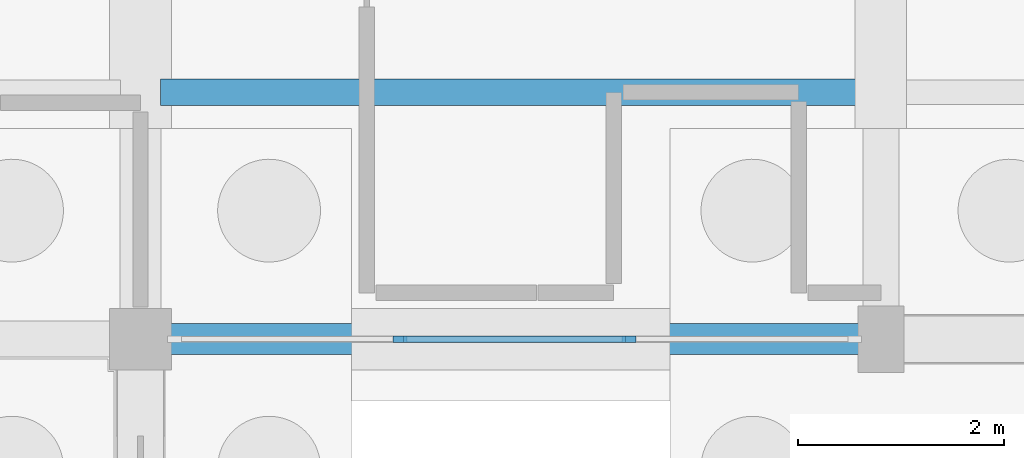
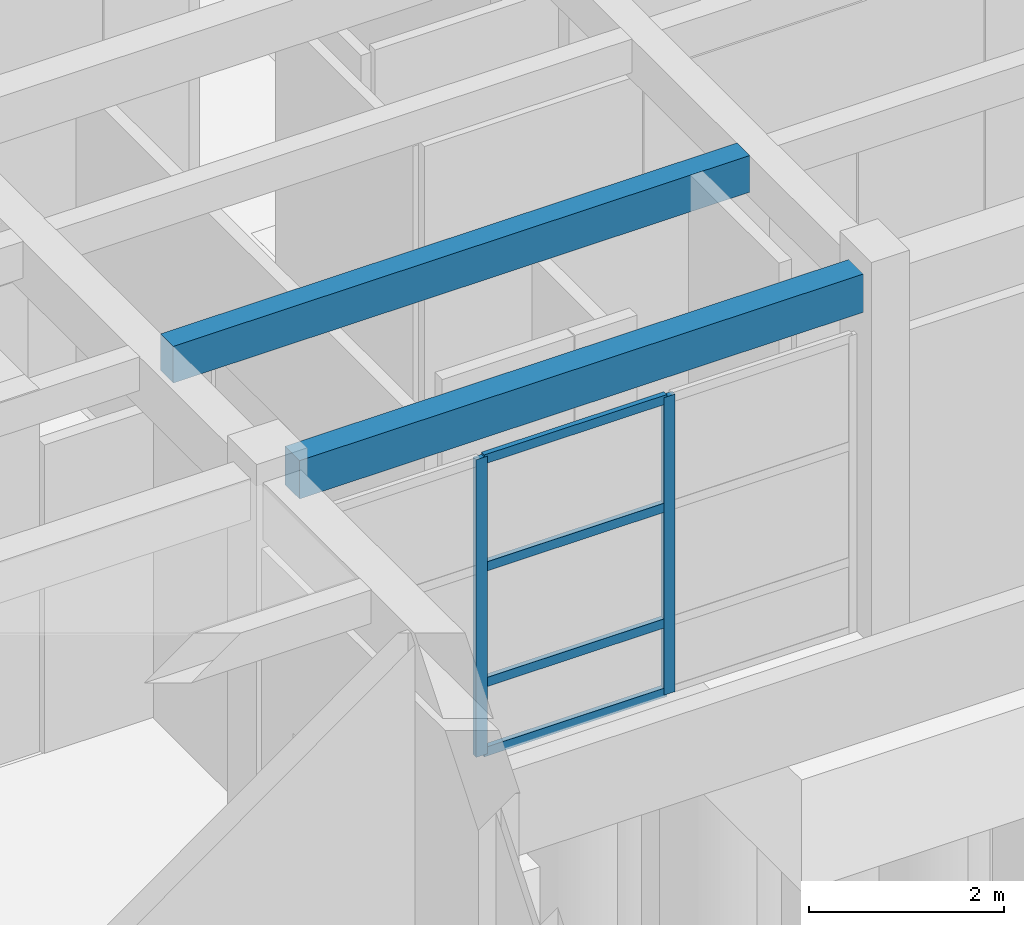
# One storey, part 65 of 143: 6 members, 2 beams, 1 element without a shape of its own.
"""IFC4 building model written with IfcOpenShell, lengths in metres."""

from ifc_helpers import new_model, si_unit, direction, frame, origin, origin_2d, place, context, subcontext, project, spatial, rectangle, extrude, material, material_profile, profile_set, type_object, element, aggregate, save


model = new_model("IFC4")

# Units and contexts
model_context = context("Model", 3, precision=1e-05, world=origin(), true_north=direction((0.0, 1.0)))
body_context = subcontext(model_context, "Body", "Model", "MODEL_VIEW")
ifc_project = project(units=[si_unit("LENGTHUNIT", "METRE"), si_unit("AREAUNIT", "SQUARE_METRE"), si_unit("VOLUMEUNIT", "CUBIC_METRE"), si_unit("PLANEANGLEUNIT", "RADIAN"), si_unit("MASSUNIT", "GRAM", prefix="KILO")], contexts=[model_context])

# Site, building, storey
site_placement = place(None, origin())
site = spatial("IfcSite", under=ifc_project, at=site_placement, CompositionType="ELEMENT")
building_placement = place(site_placement, origin())
building = spatial("IfcBuilding", under=site, at=building_placement, Name="Steenspoor Specialist Clinic", CompositionType="ELEMENT")
storey_placement = place(building_placement, origin())
storey = spatial("IfcBuildingStorey", under=building, at=storey_placement, Name="L00", CompositionType="ELEMENT", Elevation=0.0)

# Beam
ifc_material_1 = material(Name="Concrete C35/45", Category="concrete")
ifc_material_profile_1 = material_profile(ifc_material_1, rectangle(XDim=0.300048828125, YDim=0.47998046875, at=origin_2d()), Name="RC-BM-300X480")
ifc_profile_set_1 = profile_set([ifc_material_profile_1], Name="Concrete C35/45")
beam_type_1 = type_object("IfcBeamType", Name="BM-RC-300X480", PredefinedType="BEAM", material=ifc_profile_set_1)
beam_1_placement = place(storey_placement, frame((95.89501953125, 93.949951171875, 4.31005859375), z_axis=(1.0, 0.0, 0.0), x_axis=(0.0, 1.0, 0.0)))
element("IfcBeam", 1, at=beam_1_placement, inside=storey, type_object=beam_type_1, Name="BM-V4-L00-X0323", PredefinedType="BEAM", context=body_context, shape_type="SweptSolid", body=[
    extrude(rectangle(XDim=0.300048828125, YDim=0.47998046875, at=origin_2d()), origin(), (0.0, 0.0, 1.0), 6.68505859375),
])

# Curtain wall, members
ifc_material_2 = material(Name="Thermally broken aluminium and low-emissivity glass", Category="aluminium")
curtain_wall_type = type_object("IfcCurtainWallType", Name="CW-TYP-650X355", PredefinedType="USERDEFINED", material=ifc_material_2)
curtain_wall_placement = place(storey_placement, origin())
curtain_wall = element("IfcCurtainWall", 2, at=curtain_wall_placement, inside=storey, type_object=curtain_wall_type, Name="Unitised Curtain Wall CW-V4-L00-058", ObjectType="UNITISED GLAZING", PredefinedType="USERDEFINED")
ifc_material_3 = material(Name="Thermally broken aluminium 6063-T6", Category="aluminium")
ifc_material_profile_2 = material_profile(ifc_material_3, rectangle(XDim=0.06005859375, YDim=0.135009765625, at=origin_2d()), Name="CWM-60X135")
ifc_profile_set_2 = profile_set([ifc_material_profile_2], Name="Thermally broken aluminium 6063-T6")
member_type_1 = type_object("IfcMemberType", Name="CW-MULL-60X135", PredefinedType="MULLION", material=ifc_profile_set_2)
member_1_placement = place(storey_placement, frame((100.35009765625, 93.949951171875, 0.0), z_axis=(0.0, 0.0, 1.0), x_axis=(0.0, -1.0, 0.0)))
member_1 = element("IfcMember", 3, at=member_1_placement, type_object=member_type_1, Name="CW-10 mullion 2", PredefinedType="MULLION", context=body_context, shape_type="SweptSolid", body=[
    extrude(rectangle(XDim=0.06005859375, YDim=0.135009765625, at=origin_2d()), origin(), (0.0, 0.0, 1.0), 3.72998046875),
])
member_2_placement = place(storey_placement, frame((98.125, 93.949951171875, 0.0), z_axis=(0.0, 0.0, 1.0), x_axis=(0.0, -1.0, 0.0)))
member_2 = element("IfcMember", 4, at=member_2_placement, type_object=member_type_1, Name="CW-10 mullion 3", PredefinedType="MULLION", context=body_context, shape_type="SweptSolid", body=[
    extrude(rectangle(XDim=0.06005859375, YDim=0.135009765625, at=origin_2d()), origin(), (0.0, 0.0, 1.0), 3.72998046875),
])
ifc_material_profile_3 = material_profile(ifc_material_3, rectangle(XDim=0.06005859375, YDim=0.114990234375, at=origin_2d()), Name="CWT-60X115")
ifc_profile_set_3 = profile_set([ifc_material_profile_3], Name="Thermally broken aluminium 6063-T6")
member_type_2 = type_object("IfcMemberType", Name="CW-TRAN-60X115", PredefinedType="USERDEFINED", material=ifc_profile_set_3)
member_3_placement = place(storey_placement, frame((100.320068359375, 93.949951171875, 0.030029296875), z_axis=(-1.0, 0.0, 0.0), x_axis=(0.0, -1.0, 0.0)))
member_3 = element("IfcMember", 5, at=member_3_placement, type_object=member_type_2, Name="CW-10 transom 2.1", ObjectType="TRANSOM", PredefinedType="USERDEFINED", context=body_context, shape_type="SweptSolid", body=[
    extrude(rectangle(XDim=0.06005859375, YDim=0.114990234375, at=origin_2d()), origin(), (0.0, 0.0, 1.0), 2.1650390625),
])
member_4_placement = place(storey_placement, frame((100.320068359375, 93.949951171875, 0.89990234375), z_axis=(-1.0, 0.0, 0.0), x_axis=(0.0, -1.0, 0.0)))
member_4 = element("IfcMember", 6, at=member_4_placement, type_object=member_type_2, Name="CW-10 transom 2.2", ObjectType="TRANSOM", PredefinedType="USERDEFINED", context=body_context, shape_type="SweptSolid", body=[
    extrude(rectangle(XDim=0.06005859375, YDim=0.114990234375, at=origin_2d()), origin(), (0.0, 0.0, 1.0), 2.1650390625),
])
member_5_placement = place(storey_placement, frame((100.320068359375, 93.949951171875, 2.35009765625), z_axis=(-1.0, 0.0, 0.0), x_axis=(0.0, -1.0, 0.0)))
member_5 = element("IfcMember", 7, at=member_5_placement, type_object=member_type_2, Name="CW-10 transom 2.3", ObjectType="TRANSOM", PredefinedType="USERDEFINED", context=body_context, shape_type="SweptSolid", body=[
    extrude(rectangle(XDim=0.06005859375, YDim=0.114990234375, at=origin_2d()), origin(), (0.0, 0.0, 1.0), 2.1650390625),
])
member_6_placement = place(storey_placement, frame((100.320068359375, 93.949951171875, 3.699951171875), z_axis=(-1.0, 0.0, 0.0), x_axis=(0.0, -1.0, 0.0)))
member_6 = element("IfcMember", 8, at=member_6_placement, type_object=member_type_2, Name="CW-10 transom 2.4", ObjectType="TRANSOM", PredefinedType="USERDEFINED", context=body_context, shape_type="SweptSolid", body=[
    extrude(rectangle(XDim=0.06005859375, YDim=0.114990234375, at=origin_2d()), origin(), (0.0, 0.0, 1.0), 2.1650390625),
])
aggregate(curtain_wall, [member_1, member_2, member_3, member_4, member_5, member_6])

# Beam
ifc_material_profile_4 = material_profile(ifc_material_1, rectangle(XDim=0.260009765625, YDim=0.4599609375, at=origin_2d()), Name="RC-JT-260X460")
ifc_profile_set_4 = profile_set([ifc_material_profile_4], Name="Concrete C35/45")
beam_type_2 = type_object("IfcBeamType", Name="JT-RC-260X460", PredefinedType="JOIST", material=ifc_profile_set_4)
beam_2_placement = place(storey_placement, frame((95.794921875, 96.35009765625, 4.320068359375), z_axis=(1.0, 0.0, 0.0), x_axis=(0.0, 1.0, 0.0)))
element("IfcBeam", 9, at=beam_2_placement, inside=storey, type_object=beam_type_2, Name="JT-V4-L00-0453", PredefinedType="JOIST", context=body_context, shape_type="SweptSolid", body=[
    extrude(rectangle(XDim=0.260009765625, YDim=0.4599609375, at=origin_2d()), origin(), (0.0, 0.0, 1.0), 6.8349609375),
])

save(model, "model.ifc")
